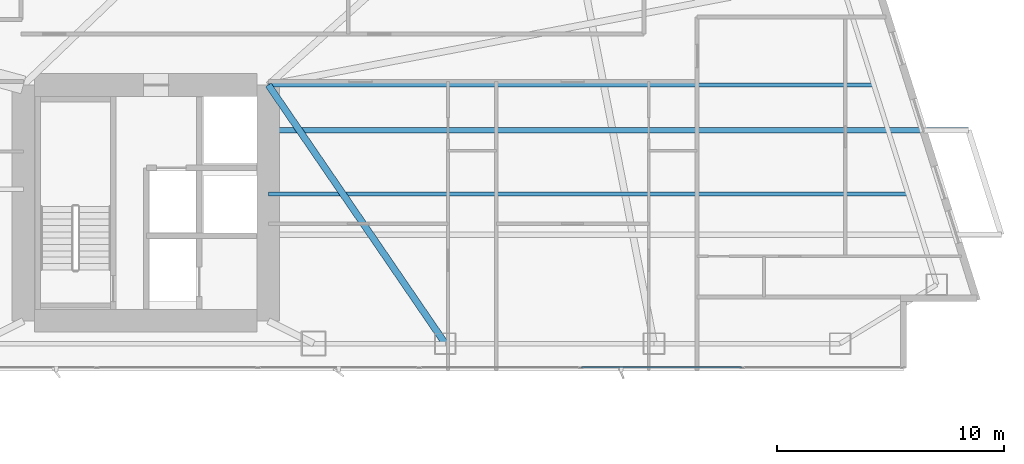
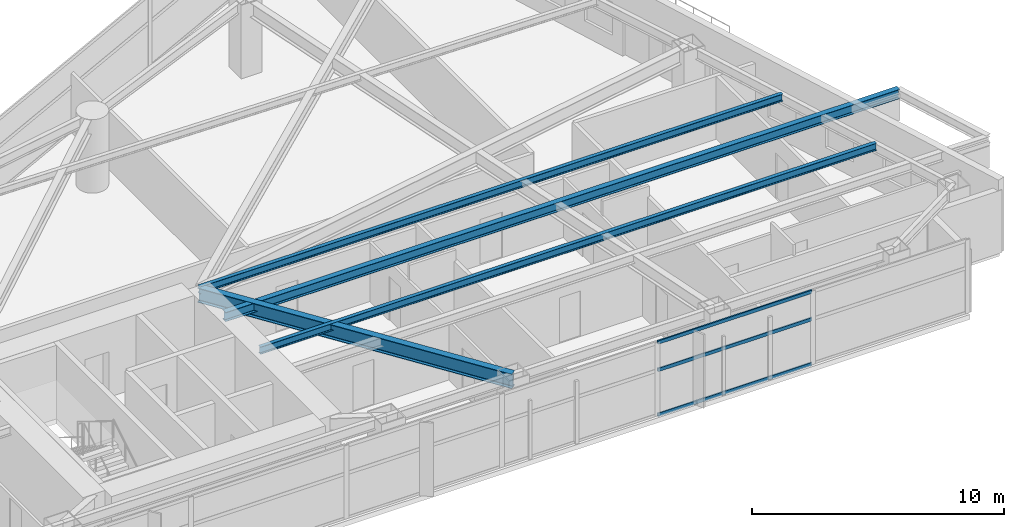
# One storey, part 13 of 29: 4 beams, 3 members, 1 element without a shape of its own.
"""IFC4 building model written with IfcOpenShell, lengths in metres."""

from ifc_helpers import new_model, si_unit, direction, frame, origin, origin_2d, place, context, subcontext, project, spatial, hollow_rectangle, i_section, extrude, material, layer, layer_set, material_profile, profile_set, type_object, element, aggregate, save


model = new_model("IFC4")

# Units and contexts
model_context = context("Model", 3, precision=1e-05, world=origin(), true_north=direction((0.0, 1.0)))
body_context = subcontext(model_context, "Body", "Model", "MODEL_VIEW")
ifc_project = project(units=[si_unit("LENGTHUNIT", "METRE"), si_unit("AREAUNIT", "SQUARE_METRE"), si_unit("VOLUMEUNIT", "CUBIC_METRE"), si_unit("PLANEANGLEUNIT", "RADIAN"), si_unit("MASSUNIT", "GRAM", prefix="KILO")], contexts=[model_context])

# Site, building, storey
site_placement = place(None, origin())
site = spatial("IfcSite", under=ifc_project, at=site_placement, CompositionType="ELEMENT")
building_placement = place(site_placement, origin())
building = spatial("IfcBuilding", under=site, at=building_placement, Name="Calvorn Quay Hotel", CompositionType="ELEMENT")
storey_placement = place(building_placement, frame((0.0, 0.0, 69.800048828125)))
storey = spatial("IfcBuildingStorey", under=building, at=storey_placement, Name="L16", CompositionType="ELEMENT", Elevation=69.800048828125)

# Beams
ifc_material_1 = material(Name="Steel Q355B", Category="steel")
ifc_material_profile_1 = material_profile(ifc_material_1, i_section(OverallWidth=0.25, OverallDepth=0.449951171875, WebThickness=0.011962890625, FlangeThickness=0.01611328125, FilletRadius=0.01611328125, at=origin_2d()), Name="HN450x250x12x16")
ifc_profile_set_1 = profile_set([ifc_material_profile_1], Name="Steel Q355B")
beam_type_1 = type_object("IfcBeamType", Name="BM-CANT-BALC", PredefinedType="BEAM", material=ifc_profile_set_1)
beam_1_placement = place(storey_placement, frame((32.39990234375, 13.0, 3.31494140625), z_axis=(1.0, 0.0, 0.0), x_axis=(0.0, 1.0, 0.0)))
element("IfcBeam", 1, at=beam_1_placement, inside=storey, type_object=beam_type_1, Name="Cantilever Balcony Beam BCB-L17-1B", PredefinedType="BEAM", context=body_context, shape_type="SweptSolid", body=[
    extrude(i_section(OverallWidth=0.25, OverallDepth=0.449951171875, WebThickness=0.011962890625, FlangeThickness=0.01611328125, FilletRadius=0.01611328125, at=origin_2d()), origin(), (0.0, 0.0, 1.0), 30.858154296875),
])
ifc_material_2 = material(Name="Steel Q390GJC", Category="steel")
ifc_material_profile_2 = material_profile(ifc_material_2, i_section(OverallWidth=0.300048828125, OverallDepth=0.699951171875, WebThickness=0.012939453125, FlangeThickness=0.02392578125, FilletRadius=0.02392578125, at=origin_2d()), Name="HN700x300x13x24")
ifc_profile_set_2 = profile_set([ifc_material_profile_2], Name="Steel Q390GJC")
beam_type_2 = type_object("IfcBeamType", Name="BM-GIRD-MAIN", PredefinedType="BEAM", material=ifc_profile_set_2)
beam_2_placement = place(storey_placement, frame((40.199951171875, 3.60009765625, 3.18994140625), z_axis=(-0.564689618177, 0.825303359452, 0.0), x_axis=(-0.825303359452, -0.564689618177, 0.0)))
element("IfcBeam", 2, at=beam_2_placement, inside=storey, type_object=beam_type_2, Name="Beam BG-L16-E6", PredefinedType="BEAM", context=body_context, shape_type="SweptSolid", body=[
    extrude(i_section(OverallWidth=0.300048828125, OverallDepth=0.699951171875, WebThickness=0.012939453125, FlangeThickness=0.02392578125, FilletRadius=0.02392578125, at=origin_2d()), origin(), (0.0, 0.0, 1.0), 13.81298828125),
])
ifc_material_3 = material(Name="Steel Q355B", Category="steel")
ifc_material_profile_3 = material_profile(ifc_material_3, i_section(OverallWidth=0.175048828125, OverallDepth=0.35009765625, WebThickness=0.007080078125, FlangeThickness=0.010986328125, FilletRadius=0.013916015625, at=origin_2d()), Name="HN350x175x7x11")
ifc_profile_set_3 = profile_set([ifc_material_profile_3], Name="Steel Q355B")
beam_type_3 = type_object("IfcBeamType", Name="BM-JOIST-SEC", PredefinedType="JOIST", material=ifc_profile_set_3)
beam_3_placement = place(storey_placement, frame((32.39990234375, 10.199951171875, 3.364990234375), z_axis=(1.0, 0.0, 0.0), x_axis=(0.0, 1.0, 0.0)))
element("IfcBeam", 3, at=beam_3_placement, inside=storey, type_object=beam_type_3, Name="Beam BJ-L16-E1", PredefinedType="JOIST", context=body_context, shape_type="SweptSolid", body=[
    extrude(i_section(OverallWidth=0.175048828125, OverallDepth=0.35009765625, WebThickness=0.007080078125, FlangeThickness=0.010986328125, FilletRadius=0.013916015625, at=origin_2d()), origin(), (0.0, 0.0, 1.0), 28.201171875),
])
beam_4_placement = place(storey_placement, frame((32.39990234375, 15.0, 3.364990234375), z_axis=(1.0, 0.0, 0.0), x_axis=(0.0, 1.0, 0.0)))
element("IfcBeam", 4, at=beam_4_placement, inside=storey, type_object=beam_type_3, Name="Beam BJ-L16-E2", PredefinedType="JOIST", context=body_context, shape_type="SweptSolid", body=[
    extrude(i_section(OverallWidth=0.175048828125, OverallDepth=0.35009765625, WebThickness=0.007080078125, FlangeThickness=0.010986328125, FilletRadius=0.013916015625, at=origin_2d()), origin(), (0.0, 0.0, 1.0), 26.68798828125),
])

# Curtain wall, members
ifc_material_4 = material(Name="Pale Anodised Aluminium and Low-E Glass", Category="aluminium")
ifc_layer = layer(ifc_material_4, 0.219970703125)
ifc_layer_set = layer_set([ifc_layer], Name="CW-SYS-Z1")
curtain_wall_type = type_object("IfcCurtainWallType", Name="CW-SYS-Z1", PredefinedType="NOTDEFINED", material=ifc_layer_set)
curtain_wall_placement = place(storey_placement, origin())
curtain_wall = element("IfcCurtainWall", 5, at=curtain_wall_placement, inside=storey, type_object=curtain_wall_type, Name="Tower South Waterfront Curtain Wall (L16)", PredefinedType="NOTDEFINED")
ifc_material_5 = material(Name="Pale Anodised Aluminium 6063-T6", Category="aluminium")
ifc_material_profile_4 = material_profile(ifc_material_5, hollow_rectangle(XDim=0.06494140625, YDim=0.1650390625, WallThickness=0.00341796875, at=origin_2d()), Name="ALU-T165x65x3.5")
ifc_profile_set_4 = profile_set([ifc_material_profile_4], Name="Pale Anodised Aluminium 6063-T6")
member_type = type_object("IfcMemberType", Name="CW-SYS-Z1-TRN", PredefinedType="USERDEFINED", material=ifc_profile_set_4)
member_1_placement = place(storey_placement, frame((46.201416015625, 2.550048828125, 0.030029296875), z_axis=(1.0, 0.0, 0.0), x_axis=(0.0, 1.0, 0.0)))
member_1 = element("IfcMember", 6, at=member_1_placement, type_object=member_type, Name="CW-L16-S transom 6.1", ObjectType="TRANSOM", PredefinedType="USERDEFINED", context=body_context, shape_type="SweptSolid", body=[
    extrude(hollow_rectangle(XDim=0.06494140625, YDim=0.1650390625, WallThickness=0.00341796875, at=origin_2d()), origin(), (0.0, 0.0, 1.0), 7.05419921875),
])
member_2_placement = place(storey_placement, frame((46.201416015625, 2.550048828125, 2.199951171875), z_axis=(1.0, 0.0, 0.0), x_axis=(0.0, 1.0, 0.0)))
member_2 = element("IfcMember", 7, at=member_2_placement, type_object=member_type, Name="CW-L16-S transom 6.2", ObjectType="TRANSOM", PredefinedType="USERDEFINED", context=body_context, shape_type="SweptSolid", body=[
    extrude(hollow_rectangle(XDim=0.06494140625, YDim=0.1650390625, WallThickness=0.00341796875, at=origin_2d()), origin(), (0.0, 0.0, 1.0), 7.05419921875),
])
member_3_placement = place(storey_placement, frame((46.201416015625, 2.550048828125, 3.530029296875), z_axis=(1.0, 0.0, 0.0), x_axis=(0.0, 1.0, 0.0)))
member_3 = element("IfcMember", 8, at=member_3_placement, type_object=member_type, Name="CW-L16-S transom 6.3", ObjectType="TRANSOM", PredefinedType="USERDEFINED", context=body_context, shape_type="SweptSolid", body=[
    extrude(hollow_rectangle(XDim=0.06494140625, YDim=0.1650390625, WallThickness=0.00341796875, at=origin_2d()), origin(), (0.0, 0.0, 1.0), 7.05419921875),
])
aggregate(curtain_wall, [member_1, member_2, member_3])

save(model, "model.ifc")
